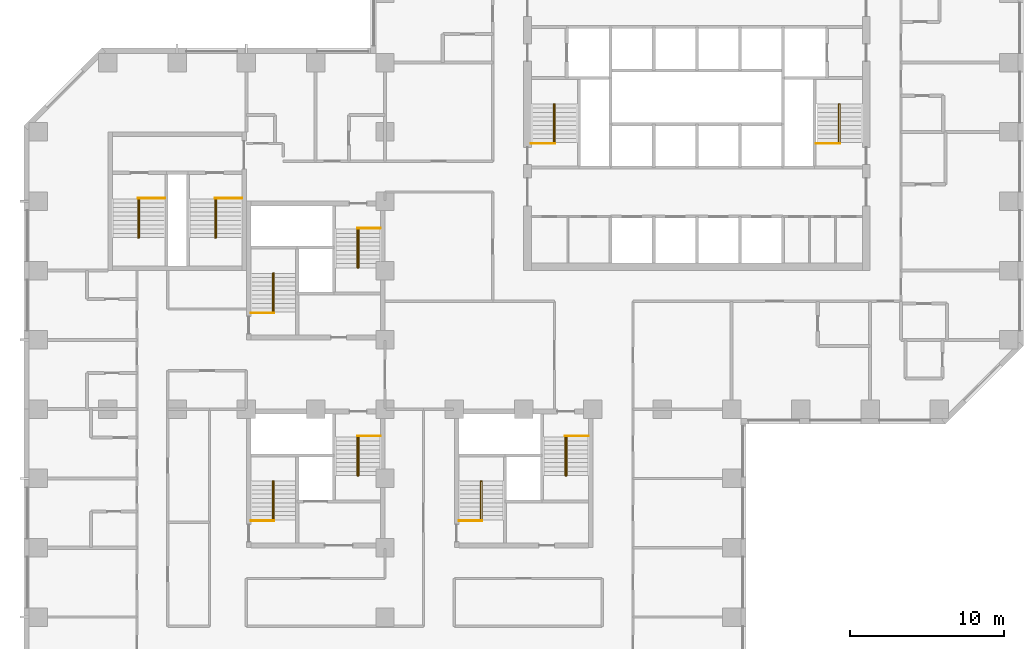
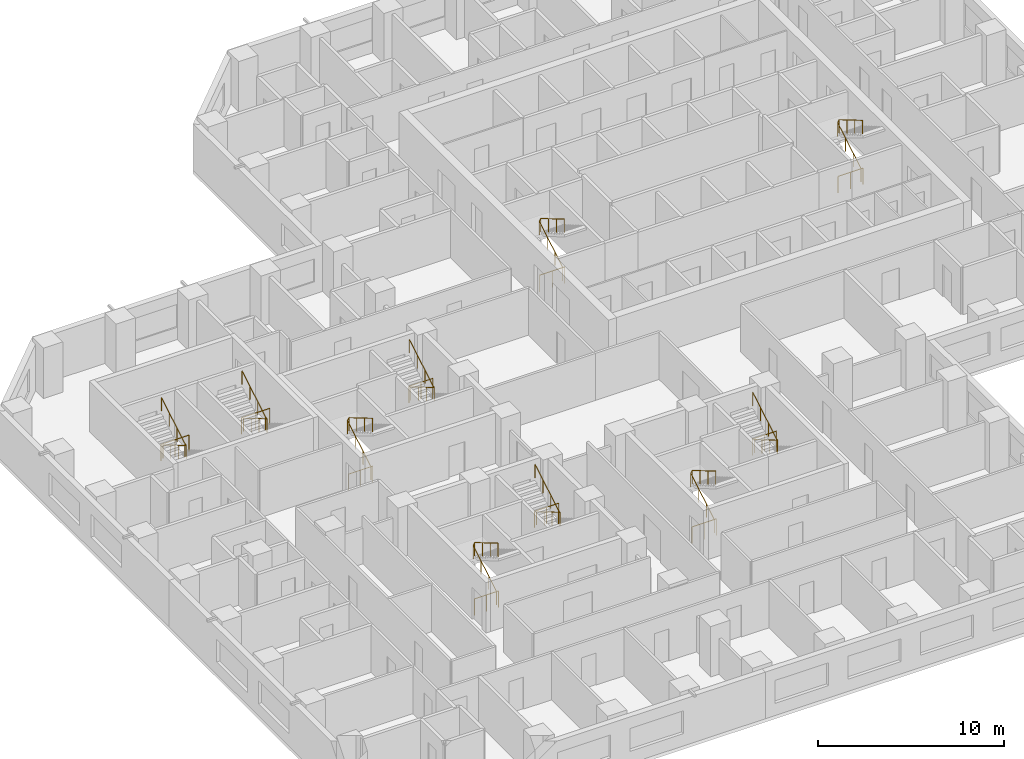
# One storey, part 13 of 13: 20 railings.
"""IFC4 building model written with IfcOpenShell, lengths in metres."""

import ifcopenshell
import ifcopenshell.guid

model = None  # the IFC model being written
_history = None  # IfcOwnerHistory: only IFC2X3 demands one
_inside = {}  # id of a spatial element -> (the spatial element, [elements in it])
_under = {}  # id of a project, library or spatial element -> (it, [spatial elements below it])
_declared = {}  # id of a project -> (the project, [libraries it declares])
_typed = {}  # id of a type object -> (the type object, [elements of that type])
_made_of = {}  # id of a material, layer set ... -> (it, [elements and type objects made of it])


def new_model(schema):
    """Start an empty IFC model of exactly this schema.

    Asked for "IFC4X3", IfcOpenShell would pick the latest addendum, in which some entities
    have other attributes; the version numbers below select the first issue.
    IFC2X3 requires an IfcOwnerHistory on every rooted entity: one is made here for all.
    """
    global model, _history
    if schema == "IFC4X3":
        model = ifcopenshell.file(schema_version=(4, 3, 0, 0))
    else:
        model = ifcopenshell.file(schema=schema)
    _inside.clear()
    _under.clear()
    _declared.clear()
    _typed.clear()
    _made_of.clear()
    _history = None
    if model.schema == "IFC2X3":
        org = make("IfcOrganization", Name="unknown")
        user = make(
            "IfcPersonAndOrganization",
            ThePerson=make("IfcPerson", FamilyName="unknown"),
            TheOrganization=org,
        )
        app = make(
            "IfcApplication",
            ApplicationDeveloper=org,
            Version="unknown",
            ApplicationFullName="unknown",
            ApplicationIdentifier="unknown",
        )
        _history = make(
            "IfcOwnerHistory",
            OwningUser=user,
            OwningApplication=app,
            ChangeAction="ADDED",
            CreationDate=0,
        )
    return model


def make(cls, **values):
    """One entity of the class cls with the attributes given. An attribute that is None is left unset."""
    return model.create_entity(
        cls, **{name: value for name, value in values.items() if value is not None}
    )


def rooted(cls, **values):
    """An entity with a GlobalId (a new one), such as an element, a storey or a relation."""
    return make(cls, GlobalId=ifcopenshell.guid.new(), OwnerHistory=_history, **values)


def si_unit(unit_type, name, prefix=None):
    """IfcSIUnit, for example si_unit("LENGTHUNIT", "METRE", prefix="MILLI")."""
    return make("IfcSIUnit", UnitType=unit_type, Prefix=prefix, Name=name)


def assignment(units):
    """IfcUnitAssignment: the units of a project."""
    return None if units is None else make("IfcUnitAssignment", Units=units)


def point(xyz):
    """IfcCartesianPoint."""
    return None if xyz is None else make("IfcCartesianPoint", Coordinates=xyz)


def direction(xyz):
    """IfcDirection."""
    return None if xyz is None else make("IfcDirection", DirectionRatios=xyz)


def frame(location, z_axis=None, x_axis=None):
    """IfcAxis2Placement3D, a coordinate frame: its origin and axes. An axis left out is left unset."""
    return make(
        "IfcAxis2Placement3D",
        Location=point(location),
        Axis=direction(z_axis),
        RefDirection=direction(x_axis),
    )


def frame_2d(location, x_axis=None):
    """IfcAxis2Placement2D, a coordinate frame in the plane: its origin and x axis."""
    return make(
        "IfcAxis2Placement2D", Location=point(location), RefDirection=direction(x_axis)
    )


def origin():
    """The frame at (0, 0, 0) with its axes left unset."""
    return frame((0.0, 0.0, 0.0))


def origin_2d():
    """The frame at (0, 0) in the plane with its x axis left unset."""
    return frame_2d((0.0, 0.0))


def place(relative_to, where):
    """IfcLocalPlacement: puts the frame where relative to a parent placement (None: the world)."""
    return make(
        "IfcLocalPlacement", PlacementRelTo=relative_to, RelativePlacement=where
    )


def context(
    kind, dimensions, precision=None, world=None, true_north=None, identifier=None
):
    """IfcGeometricRepresentationContext, for example the 3D "Model" context."""
    return make(
        "IfcGeometricRepresentationContext",
        ContextIdentifier=identifier,
        ContextType=kind,
        CoordinateSpaceDimension=dimensions,
        Precision=precision,
        WorldCoordinateSystem=world,
        TrueNorth=true_north,
    )


def subcontext(parent, identifier, kind, view, scale=None):
    """IfcGeometricRepresentationSubContext, for example "Body" below "Model"."""
    return make(
        "IfcGeometricRepresentationSubContext",
        ContextIdentifier=identifier,
        ContextType=kind,
        ParentContext=parent,
        TargetScale=scale,
        TargetView=view,
    )


def project(units=None, contexts=None):
    """IfcProject with its units and contexts."""
    return rooted(
        "IfcProject",
        Name="project",
        RepresentationContexts=contexts,
        UnitsInContext=assignment(units),
    )


def spatial(cls, under=None, at=None, **own):
    """A site, building, storey or space (cls), placed at a placement, below another one or the project."""
    s = rooted(cls, ObjectPlacement=at, **own)
    if under is not None:
        _under.setdefault(under.id(), (under, []))[1].append(s)
    return s


def profile(cls, at=None, kind="AREA", **sizes):
    """A parametric profile (cls). Its sizes go by their IFC names, for example OverallWidth=200.0."""
    return make(cls, ProfileType=kind, Position=at, **sizes)


def circle(**sizes):
    """IfcCircleProfileDef."""
    return profile("IfcCircleProfileDef", **sizes)


def extrude(swept, where, along, depth):
    """IfcExtrudedAreaSolid: the profile swept, set in the frame where, extruded along a direction by depth."""
    return make(
        "IfcExtrudedAreaSolid",
        SweptArea=swept,
        Position=where,
        ExtrudedDirection=direction(along),
        Depth=depth,
    )


def shape(context_of_items, identifier, shape_type, items):
    """IfcShapeRepresentation: the items that make up one representation, for example the "Body"."""
    return make(
        "IfcShapeRepresentation",
        ContextOfItems=context_of_items,
        RepresentationIdentifier=identifier,
        RepresentationType=shape_type,
        Items=items,
    )


def material(Name=None, Category=None):
    """IfcMaterial."""
    return make("IfcMaterial", Name=Name, Category=Category)


def made_of(thing, what):
    """Note that an element or type object is made of a material, layer set ...; save() writes the relation."""
    if what is not None:
        _made_of.setdefault(what.id(), (what, []))[1].append(thing)
    return thing


def type_object(cls, material=None, **own):
    """A type object (cls), such as IfcWallType, which elements share."""
    return made_of(rooted(cls, **own), material)


def element(
    cls,
    number,
    at=None,
    inside=None,
    cuts=None,
    type_object=None,
    material=None,
    context=None,
    identifier="Body",
    shape_type=None,
    held_by="IfcProductDefinitionShape",
    body=None,
    shapes=None,
    **own,
):
    """One element of the class cls, such as IfcWall. Its Tag is "e" and its number.

    at: its placement. inside: the storey or other place that contains it. cuts: it is an
    opening in that element (IfcRelVoidsElement). A single representation is given by context,
    identifier, shape_type and body (its items); several are given by shapes. held_by: the class
    of the entity that holds the representations. save() writes the other relations.
    """
    e = rooted(cls, Tag="e%d" % number, ObjectPlacement=at, **own)
    if body is not None:
        shapes = [shape(context, identifier, shape_type, body)]
    if shapes is not None:
        e.Representation = make(held_by, Representations=shapes)
    if inside is not None:
        _inside.setdefault(inside.id(), (inside, []))[1].append(e)
    if cuts is not None:
        rooted(
            "IfcRelVoidsElement", RelatingBuildingElement=cuts, RelatedOpeningElement=e
        )
    if type_object is not None:
        _typed.setdefault(type_object.id(), (type_object, []))[1].append(e)
    return made_of(e, material)


def aggregate(whole, parts):
    """IfcRelAggregates: a whole, such as a stair, and the parts it consists of."""
    return rooted("IfcRelAggregates", RelatingObject=whole, RelatedObjects=parts)


def save(model, path):
    """Write the relations noted so far, then the file.

    IfcRelAggregates (storeys below a building ...), IfcRelContainedInSpatialStructure (elements
    in a storey), IfcRelDefinesByType, IfcRelAssociatesMaterial and IfcRelDeclares: one each for
    every whole, place, type object, material and project.
    """
    for whole, parts in _under.values():
        aggregate(whole, parts)
    for where, things in _inside.values():
        rooted(
            "IfcRelContainedInSpatialStructure",
            RelatedElements=things,
            RelatingStructure=where,
        )
    for kind, things in _typed.values():
        rooted("IfcRelDefinesByType", RelatedObjects=things, RelatingType=kind)
    for what, things in _made_of.values():
        rooted("IfcRelAssociatesMaterial", RelatedObjects=things, RelatingMaterial=what)
    for by, libraries in _declared.values():
        rooted("IfcRelDeclares", RelatingContext=by, RelatedDefinitions=libraries)
    model.write(path)


model = new_model("IFC4")

# Units and contexts
model_context = context("Model", 3, precision=1e-05, world=origin(), true_north=direction((0.0, 1.0)))
body_context = subcontext(model_context, "Body", "Model", "MODEL_VIEW")
ifc_project = project(units=[si_unit("LENGTHUNIT", "METRE"), si_unit("AREAUNIT", "SQUARE_METRE"), si_unit("VOLUMEUNIT", "CUBIC_METRE"), si_unit("PLANEANGLEUNIT", "RADIAN"), si_unit("MASSUNIT", "GRAM", prefix="KILO")], contexts=[model_context])

# Site, building, storey
site_placement = place(None, origin())
site = spatial("IfcSite", under=ifc_project, at=site_placement, CompositionType="ELEMENT")
building_placement = place(site_placement, origin())
building = spatial("IfcBuilding", under=site, at=building_placement, Name="Quoin Convention Tower", CompositionType="ELEMENT")
storey_placement = place(building_placement, frame((0.0, 0.0, 23.10009765625)))
storey = spatial("IfcBuildingStorey", under=building, at=storey_placement, Name="L04", CompositionType="ELEMENT", Elevation=23.10009765625)

# Railings
ifc_material = material(Name="Stainless steel", Category="steel")
railing_type_1 = type_object("IfcRailingType", Name="Stair handrail 900", PredefinedType="HANDRAIL", material=ifc_material)
for number, where, name in (
    (1, (46.955078125, 57.800048828125, 0.164794921875), "SD1 handrail 1"),
    (2, (65.455078125, 57.800048828125, 0.164794921875), "SD2 handrail 1"),
    (3, (28.705078125, 46.800048828125, 0.164794921875), "SD3 handrail 1"),
):
    element("IfcRailing", number, at=place(storey_placement, frame(where)), inside=storey, type_object=railing_type_1, Name=name, PredefinedType="HANDRAIL", context=body_context, shape_type="SweptSolid", body=[
        extrude(circle(Radius=0.02392578125, at=origin_2d()), frame((0.0, 0.0, 0.8759765625), z_axis=(0.0, 0.86152411907, 0.507716645641), x_axis=(-1.0, 0.0, 0.0)), (0.0, 0.0, 1.0), 2.925048828125),
        extrude(circle(Radius=0.02392578125, at=origin_2d()), frame((0.0, 2.52001953125, 2.36083984375), z_axis=(0.478123724308, 0.0, 0.878292493566), x_axis=(0.0, 1.0, 0.0)), (0.0, 0.0, 1.0), 0.18798828125),
        extrude(circle(Radius=0.02392578125, at=origin_2d()), frame((0.08984375, 2.52001953125, 2.52587890625), z_axis=(0.0, -0.861560626758, 0.507654692109), x_axis=(1.0, 0.0, 0.0)), (0.0, 0.0, 1.0), 2.925048828125),
        extrude(circle(Radius=0.02099609375, at=origin_2d()), origin(), (0.0, 0.0, 1.0), 0.851806640625),
        extrude(circle(Radius=0.02099609375, at=origin_2d()), frame((0.0, 0.840087890625, 0.4951171875)), (0.0, 0.0, 1.0), 0.851806640625),
        extrude(circle(Radius=0.02099609375, at=origin_2d()), frame((0.0, 1.679931640625, 0.989990234375)), (0.0, 0.0, 1.0), 0.851806640625),
        extrude(circle(Radius=0.02099609375, at=origin_2d()), frame((0.0, 2.52001953125, 1.485107421875)), (0.0, 0.0, 1.0), 0.851806640625),
        extrude(circle(Radius=0.02099609375, at=origin_2d()), frame((0.08984375, 2.52001953125, 1.650146484375)), (0.0, 0.0, 1.0), 0.851806640625),
        extrude(circle(Radius=0.02099609375, at=origin_2d()), frame((0.08984375, 1.679931640625, 2.14501953125)), (0.0, 0.0, 1.0), 0.851806640625),
        extrude(circle(Radius=0.02099609375, at=origin_2d()), frame((0.08984375, 0.840087890625, 2.64013671875)), (0.0, 0.0, 1.0), 0.851806640625),
        extrude(circle(Radius=0.02099609375, at=origin_2d()), frame((0.08984375, 0.0, 3.135009765625)), (0.0, 0.0, 1.0), 0.851806640625),
    ])
railing_1_placement = place(storey_placement, frame((34.294921875, 52.199951171875, 0.164794921875)))
element("IfcRailing", 4, at=railing_1_placement, inside=storey, type_object=railing_type_1, Name="SD4 handrail 1", PredefinedType="HANDRAIL", context=body_context, shape_type="SweptSolid", body=[
    extrude(circle(Radius=0.02392578125, at=origin_2d()), frame((0.0, 0.0, 0.8759765625), z_axis=(0.0, -0.86152411907, 0.507716645641), x_axis=(1.0, 0.0, 0.0)), (0.0, 0.0, 1.0), 2.925048828125),
    extrude(circle(Radius=0.02392578125, at=origin_2d()), frame((0.0, -2.52001953125, 2.36083984375), z_axis=(-0.478123724308, 0.0, 0.878292493566), x_axis=(0.0, -1.0, 0.0)), (0.0, 0.0, 1.0), 0.18798828125),
    extrude(circle(Radius=0.02392578125, at=origin_2d()), frame((-0.08984375, -2.52001953125, 2.52587890625), z_axis=(0.0, 0.861560626758, 0.507654692109), x_axis=(-1.0, 0.0, 0.0)), (0.0, 0.0, 1.0), 2.925048828125),
    extrude(circle(Radius=0.02099609375, at=origin_2d()), origin(), (0.0, 0.0, 1.0), 0.851806640625),
    extrude(circle(Radius=0.02099609375, at=origin_2d()), frame((0.0, -0.840087890625, 0.4951171875)), (0.0, 0.0, 1.0), 0.851806640625),
    extrude(circle(Radius=0.02099609375, at=origin_2d()), frame((0.0, -1.679931640625, 0.989990234375)), (0.0, 0.0, 1.0), 0.851806640625),
    extrude(circle(Radius=0.02099609375, at=origin_2d()), frame((0.0, -2.52001953125, 1.485107421875)), (0.0, 0.0, 1.0), 0.851806640625),
    extrude(circle(Radius=0.02099609375, at=origin_2d()), frame((-0.08984375, -2.52001953125, 1.650146484375)), (0.0, 0.0, 1.0), 0.851806640625),
    extrude(circle(Radius=0.02099609375, at=origin_2d()), frame((-0.08984375, -1.679931640625, 2.14501953125)), (0.0, 0.0, 1.0), 0.851806640625),
    extrude(circle(Radius=0.02099609375, at=origin_2d()), frame((-0.08984375, -0.840087890625, 2.64013671875)), (0.0, 0.0, 1.0), 0.851806640625),
    extrude(circle(Radius=0.02099609375, at=origin_2d()), frame((-0.08984375, 0.0, 3.135009765625)), (0.0, 0.0, 1.0), 0.851806640625),
])
railing_2_placement = place(storey_placement, frame((42.205078125, 33.300048828125, 0.164794921875)))
element("IfcRailing", 5, at=railing_2_placement, inside=storey, type_object=railing_type_1, Name="SD5 handrail 1", PredefinedType="HANDRAIL", context=body_context, shape_type="SweptSolid", body=[
    extrude(circle(Radius=0.02392578125, at=origin_2d()), frame((0.0, 0.0, 0.8759765625), z_axis=(0.0, 0.86152411907, 0.507716645641), x_axis=(-1.0, 0.0, 0.0)), (0.0, 0.0, 1.0), 2.925048828125),
    extrude(circle(Radius=0.02392578125, at=origin_2d()), frame((0.0, 2.52001953125, 2.36083984375), z_axis=(0.478123724308, 0.0, 0.878292493566), x_axis=(0.0, 1.0, 0.0)), (0.0, 0.0, 1.0), 0.18798828125),
    extrude(circle(Radius=0.02392578125, at=origin_2d()), frame((0.08984375, 2.52001953125, 2.52587890625), z_axis=(0.0, -0.861560626758, 0.507654692109), x_axis=(1.0, 0.0, 0.0)), (0.0, 0.0, 1.0), 2.925048828125),
    extrude(circle(Radius=0.02099609375, at=origin_2d()), origin(), (0.0, 0.0, 1.0), 0.851806640625),
    extrude(circle(Radius=0.02099609375, at=origin_2d()), frame((0.0, 0.840087890625, 0.4951171875)), (0.0, 0.0, 1.0), 0.851806640625),
    extrude(circle(Radius=0.02099609375, at=origin_2d()), frame((0.0, 1.679931640625, 0.989990234375)), (0.0, 0.0, 1.0), 0.851806640625),
    extrude(circle(Radius=0.02099609375, at=origin_2d()), frame((0.0, 2.52001953125, 1.485107421875)), (0.0, 0.0, 1.0), 0.851806640625),
    extrude(circle(Radius=0.02099609375, at=origin_2d()), frame((0.08984375, 2.52001953125, 1.650146484375)), (0.0, 0.0, 1.0), 0.851806640625),
    extrude(circle(Radius=0.02099609375, at=origin_2d()), frame((0.08984375, 1.679931640625, 2.14501953125)), (0.0, 0.0, 1.0), 0.851806640625),
    extrude(circle(Radius=0.02099609375, at=origin_2d()), frame((0.08984375, 0.840087890625, 2.64013671875)), (0.0, 0.0, 1.0), 0.851806640625),
    extrude(circle(Radius=0.02099609375, at=origin_2d()), frame((0.08984375, 0.0, 3.135009765625)), (0.0, 0.0, 1.0), 0.851806640625),
])
railing_3_placement = place(storey_placement, frame((47.794921875, 38.699951171875, 0.164794921875)))
element("IfcRailing", 6, at=railing_3_placement, inside=storey, type_object=railing_type_1, Name="SD6 handrail 1", PredefinedType="HANDRAIL", context=body_context, shape_type="SweptSolid", body=[
    extrude(circle(Radius=0.02392578125, at=origin_2d()), frame((0.0, 0.0, 0.8759765625), z_axis=(0.0, -0.86152411907, 0.507716645641), x_axis=(1.0, 0.0, 0.0)), (0.0, 0.0, 1.0), 2.925048828125),
    extrude(circle(Radius=0.02392578125, at=origin_2d()), frame((0.0, -2.52001953125, 2.36083984375), z_axis=(-0.478123724308, 0.0, 0.878292493566), x_axis=(0.0, -1.0, 0.0)), (0.0, 0.0, 1.0), 0.18798828125),
    extrude(circle(Radius=0.02392578125, at=origin_2d()), frame((-0.08984375, -2.52001953125, 2.52587890625), z_axis=(0.0, 0.861560626758, 0.507654692109), x_axis=(-1.0, 0.0, 0.0)), (0.0, 0.0, 1.0), 2.925048828125),
    extrude(circle(Radius=0.02099609375, at=origin_2d()), origin(), (0.0, 0.0, 1.0), 0.851806640625),
    extrude(circle(Radius=0.02099609375, at=origin_2d()), frame((0.0, -0.840087890625, 0.4951171875)), (0.0, 0.0, 1.0), 0.851806640625),
    extrude(circle(Radius=0.02099609375, at=origin_2d()), frame((0.0, -1.679931640625, 0.989990234375)), (0.0, 0.0, 1.0), 0.851806640625),
    extrude(circle(Radius=0.02099609375, at=origin_2d()), frame((0.0, -2.52001953125, 1.485107421875)), (0.0, 0.0, 1.0), 0.851806640625),
    extrude(circle(Radius=0.02099609375, at=origin_2d()), frame((-0.08984375, -2.52001953125, 1.650146484375)), (0.0, 0.0, 1.0), 0.851806640625),
    extrude(circle(Radius=0.02099609375, at=origin_2d()), frame((-0.08984375, -1.679931640625, 2.14501953125)), (0.0, 0.0, 1.0), 0.851806640625),
    extrude(circle(Radius=0.02099609375, at=origin_2d()), frame((-0.08984375, -0.840087890625, 2.64013671875)), (0.0, 0.0, 1.0), 0.851806640625),
    extrude(circle(Radius=0.02099609375, at=origin_2d()), frame((-0.08984375, 0.0, 3.135009765625)), (0.0, 0.0, 1.0), 0.851806640625),
])
railing_4_placement = place(storey_placement, frame((28.705078125, 33.300048828125, 0.164794921875)))
element("IfcRailing", 7, at=railing_4_placement, inside=storey, type_object=railing_type_1, Name="SD7 handrail 1", PredefinedType="HANDRAIL", context=body_context, shape_type="SweptSolid", body=[
    extrude(circle(Radius=0.02392578125, at=origin_2d()), frame((0.0, 0.0, 0.8759765625), z_axis=(0.0, 0.86152411907, 0.507716645641), x_axis=(-1.0, 0.0, 0.0)), (0.0, 0.0, 1.0), 2.925048828125),
    extrude(circle(Radius=0.02392578125, at=origin_2d()), frame((0.0, 2.52001953125, 2.36083984375), z_axis=(0.478123724308, 0.0, 0.878292493566), x_axis=(0.0, 1.0, 0.0)), (0.0, 0.0, 1.0), 0.18798828125),
    extrude(circle(Radius=0.02392578125, at=origin_2d()), frame((0.08984375, 2.52001953125, 2.52587890625), z_axis=(0.0, -0.861560626758, 0.507654692109), x_axis=(1.0, 0.0, 0.0)), (0.0, 0.0, 1.0), 2.925048828125),
    extrude(circle(Radius=0.02099609375, at=origin_2d()), origin(), (0.0, 0.0, 1.0), 0.851806640625),
    extrude(circle(Radius=0.02099609375, at=origin_2d()), frame((0.0, 0.840087890625, 0.4951171875)), (0.0, 0.0, 1.0), 0.851806640625),
    extrude(circle(Radius=0.02099609375, at=origin_2d()), frame((0.0, 1.679931640625, 0.989990234375)), (0.0, 0.0, 1.0), 0.851806640625),
    extrude(circle(Radius=0.02099609375, at=origin_2d()), frame((0.0, 2.52001953125, 1.485107421875)), (0.0, 0.0, 1.0), 0.851806640625),
    extrude(circle(Radius=0.02099609375, at=origin_2d()), frame((0.08984375, 2.52001953125, 1.650146484375)), (0.0, 0.0, 1.0), 0.851806640625),
    extrude(circle(Radius=0.02099609375, at=origin_2d()), frame((0.08984375, 1.679931640625, 2.14501953125)), (0.0, 0.0, 1.0), 0.851806640625),
    extrude(circle(Radius=0.02099609375, at=origin_2d()), frame((0.08984375, 0.840087890625, 2.64013671875)), (0.0, 0.0, 1.0), 0.851806640625),
    extrude(circle(Radius=0.02099609375, at=origin_2d()), frame((0.08984375, 0.0, 3.135009765625)), (0.0, 0.0, 1.0), 0.851806640625),
])
for number, where, name in (
    (8, (34.294921875, 38.699951171875, 0.164794921875), "SD8 handrail 1"),
    (9, (20.044921875, 54.14990234375, 0.164794921875), "SD11 handrail 1"),
    (10, (25.044921875, 54.14990234375, 0.164794921875), "SD12 handrail 1"),
):
    element("IfcRailing", number, at=place(storey_placement, frame(where)), inside=storey, type_object=railing_type_1, Name=name, PredefinedType="HANDRAIL", context=body_context, shape_type="SweptSolid", body=[
        extrude(circle(Radius=0.02392578125, at=origin_2d()), frame((0.0, 0.0, 0.8759765625), z_axis=(0.0, -0.86152411907, 0.507716645641), x_axis=(1.0, 0.0, 0.0)), (0.0, 0.0, 1.0), 2.925048828125),
        extrude(circle(Radius=0.02392578125, at=origin_2d()), frame((0.0, -2.52001953125, 2.36083984375), z_axis=(-0.478123724308, 0.0, 0.878292493566), x_axis=(0.0, -1.0, 0.0)), (0.0, 0.0, 1.0), 0.18798828125),
        extrude(circle(Radius=0.02392578125, at=origin_2d()), frame((-0.08984375, -2.52001953125, 2.52587890625), z_axis=(0.0, 0.861560626758, 0.507654692109), x_axis=(-1.0, 0.0, 0.0)), (0.0, 0.0, 1.0), 2.925048828125),
        extrude(circle(Radius=0.02099609375, at=origin_2d()), origin(), (0.0, 0.0, 1.0), 0.851806640625),
        extrude(circle(Radius=0.02099609375, at=origin_2d()), frame((0.0, -0.840087890625, 0.4951171875)), (0.0, 0.0, 1.0), 0.851806640625),
        extrude(circle(Radius=0.02099609375, at=origin_2d()), frame((0.0, -1.679931640625, 0.989990234375)), (0.0, 0.0, 1.0), 0.851806640625),
        extrude(circle(Radius=0.02099609375, at=origin_2d()), frame((0.0, -2.52001953125, 1.485107421875)), (0.0, 0.0, 1.0), 0.851806640625),
        extrude(circle(Radius=0.02099609375, at=origin_2d()), frame((-0.08984375, -2.52001953125, 1.650146484375)), (0.0, 0.0, 1.0), 0.851806640625),
        extrude(circle(Radius=0.02099609375, at=origin_2d()), frame((-0.08984375, -1.679931640625, 2.14501953125)), (0.0, 0.0, 1.0), 0.851806640625),
        extrude(circle(Radius=0.02099609375, at=origin_2d()), frame((-0.08984375, -0.840087890625, 2.64013671875)), (0.0, 0.0, 1.0), 0.851806640625),
        extrude(circle(Radius=0.02099609375, at=origin_2d()), frame((-0.08984375, 0.0, 3.135009765625)), (0.0, 0.0, 1.0), 0.851806640625),
    ])
railing_type_2 = type_object("IfcRailingType", Name="Stair top guard 1100", PredefinedType="GUARDRAIL", material=ifc_material)
for number, where, name in (
    (11, (45.5, 57.75, 0.0), "SD1 top guard"),
    (12, (64.0, 57.75, 0.0), "SD2 top guard"),
):
    element("IfcRailing", number, at=place(storey_placement, frame(where)), inside=storey, type_object=railing_type_2, Name=name, PredefinedType="GUARDRAIL", context=body_context, shape_type="SweptSolid", body=[
        extrude(circle(Radius=0.02392578125, at=origin_2d()), frame((0.0, 0.0, 1.076171875), z_axis=(1.0, 0.0, 0.0), x_axis=(0.0, 1.0, 0.0)), (0.0, 0.0, 1.0), 1.544921875),
        extrude(circle(Radius=0.02099609375, at=origin_2d()), origin(), (0.0, 0.0, 1.0), 1.052001953125),
        extrude(circle(Radius=0.02099609375, at=origin_2d()), frame((0.7724609375, 0.0, 0.0)), (0.0, 0.0, 1.0), 1.052001953125),
        extrude(circle(Radius=0.02099609375, at=origin_2d()), frame((1.544921875, 0.0, 0.0)), (0.0, 0.0, 1.0), 1.052001953125),
    ])
railing_5_placement = place(storey_placement, frame((27.300048828125, 46.75, 0.0)))
element("IfcRailing", 13, at=railing_5_placement, inside=storey, type_object=railing_type_2, Name="SD3 top guard", PredefinedType="GUARDRAIL", context=body_context, shape_type="SweptSolid", body=[
    extrude(circle(Radius=0.02392578125, at=origin_2d()), frame((0.0, 0.0, 1.076171875), z_axis=(1.0, 0.0, 0.0), x_axis=(0.0, 1.0, 0.0)), (0.0, 0.0, 1.0), 1.494873046875),
    extrude(circle(Radius=0.02099609375, at=origin_2d()), origin(), (0.0, 0.0, 1.0), 1.052001953125),
    extrude(circle(Radius=0.02099609375, at=origin_2d()), frame((0.74755859375, 0.0, 0.0)), (0.0, 0.0, 1.0), 1.052001953125),
    extrude(circle(Radius=0.02099609375, at=origin_2d()), frame((1.494873046875, 0.0, 0.0)), (0.0, 0.0, 1.0), 1.052001953125),
])
railing_6_placement = place(storey_placement, frame((35.699951171875, 52.25, 0.0)))
element("IfcRailing", 14, at=railing_6_placement, inside=storey, type_object=railing_type_2, Name="SD4 top guard", PredefinedType="GUARDRAIL", context=body_context, shape_type="SweptSolid", body=[
    extrude(circle(Radius=0.02392578125, at=origin_2d()), frame((0.0, 0.0, 1.076171875), z_axis=(-1.0, 0.0, 0.0), x_axis=(0.0, -1.0, 0.0)), (0.0, 0.0, 1.0), 1.494873046875),
    extrude(circle(Radius=0.02099609375, at=origin_2d()), origin(), (0.0, 0.0, 1.0), 1.052001953125),
    extrude(circle(Radius=0.02099609375, at=origin_2d()), frame((-0.74755859375, 0.0, 0.0)), (0.0, 0.0, 1.0), 1.052001953125),
    extrude(circle(Radius=0.02099609375, at=origin_2d()), frame((-1.494873046875, 0.0, 0.0)), (0.0, 0.0, 1.0), 1.052001953125),
])
railing_7_placement = place(storey_placement, frame((40.800048828125, 33.25, 0.0)))
element("IfcRailing", 15, at=railing_7_placement, inside=storey, type_object=railing_type_2, Name="SD5 top guard", PredefinedType="GUARDRAIL", context=body_context, shape_type="SweptSolid", body=[
    extrude(circle(Radius=0.02392578125, at=origin_2d()), frame((0.0, 0.0, 1.076171875), z_axis=(1.0, 0.0, 0.0), x_axis=(0.0, 1.0, 0.0)), (0.0, 0.0, 1.0), 1.494873046875),
    extrude(circle(Radius=0.02099609375, at=origin_2d()), origin(), (0.0, 0.0, 1.0), 1.052001953125),
    extrude(circle(Radius=0.02099609375, at=origin_2d()), frame((0.74755859375, 0.0, 0.0)), (0.0, 0.0, 1.0), 1.052001953125),
    extrude(circle(Radius=0.02099609375, at=origin_2d()), frame((1.494873046875, 0.0, 0.0)), (0.0, 0.0, 1.0), 1.052001953125),
])
railing_8_placement = place(storey_placement, frame((49.199951171875, 38.75, 0.0)))
element("IfcRailing", 16, at=railing_8_placement, inside=storey, type_object=railing_type_2, Name="SD6 top guard", PredefinedType="GUARDRAIL", context=body_context, shape_type="SweptSolid", body=[
    extrude(circle(Radius=0.02392578125, at=origin_2d()), frame((0.0, 0.0, 1.076171875), z_axis=(-1.0, 0.0, 0.0), x_axis=(0.0, -1.0, 0.0)), (0.0, 0.0, 1.0), 1.494873046875),
    extrude(circle(Radius=0.02099609375, at=origin_2d()), origin(), (0.0, 0.0, 1.0), 1.052001953125),
    extrude(circle(Radius=0.02099609375, at=origin_2d()), frame((-0.74755859375, 0.0, 0.0)), (0.0, 0.0, 1.0), 1.052001953125),
    extrude(circle(Radius=0.02099609375, at=origin_2d()), frame((-1.494873046875, 0.0, 0.0)), (0.0, 0.0, 1.0), 1.052001953125),
])
railing_9_placement = place(storey_placement, frame((27.300048828125, 33.25, 0.0)))
element("IfcRailing", 17, at=railing_9_placement, inside=storey, type_object=railing_type_2, Name="SD7 top guard", PredefinedType="GUARDRAIL", context=body_context, shape_type="SweptSolid", body=[
    extrude(circle(Radius=0.02392578125, at=origin_2d()), frame((0.0, 0.0, 1.076171875), z_axis=(1.0, 0.0, 0.0), x_axis=(0.0, 1.0, 0.0)), (0.0, 0.0, 1.0), 1.494873046875),
    extrude(circle(Radius=0.02099609375, at=origin_2d()), origin(), (0.0, 0.0, 1.0), 1.052001953125),
    extrude(circle(Radius=0.02099609375, at=origin_2d()), frame((0.74755859375, 0.0, 0.0)), (0.0, 0.0, 1.0), 1.052001953125),
    extrude(circle(Radius=0.02099609375, at=origin_2d()), frame((1.494873046875, 0.0, 0.0)), (0.0, 0.0, 1.0), 1.052001953125),
])
railing_10_placement = place(storey_placement, frame((35.699951171875, 38.75, 0.0)))
element("IfcRailing", 18, at=railing_10_placement, inside=storey, type_object=railing_type_2, Name="SD8 top guard", PredefinedType="GUARDRAIL", context=body_context, shape_type="SweptSolid", body=[
    extrude(circle(Radius=0.02392578125, at=origin_2d()), frame((0.0, 0.0, 1.076171875), z_axis=(-1.0, 0.0, 0.0), x_axis=(0.0, -1.0, 0.0)), (0.0, 0.0, 1.0), 1.494873046875),
    extrude(circle(Radius=0.02099609375, at=origin_2d()), origin(), (0.0, 0.0, 1.0), 1.052001953125),
    extrude(circle(Radius=0.02099609375, at=origin_2d()), frame((-0.74755859375, 0.0, 0.0)), (0.0, 0.0, 1.0), 1.052001953125),
    extrude(circle(Radius=0.02099609375, at=origin_2d()), frame((-1.494873046875, 0.0, 0.0)), (0.0, 0.0, 1.0), 1.052001953125),
])
for number, where, name in (
    (19, (21.699951171875, 54.199951171875, 0.0), "SD11 top guard"),
    (20, (26.699951171875, 54.199951171875, 0.0), "SD12 top guard"),
):
    element("IfcRailing", number, at=place(storey_placement, frame(where)), inside=storey, type_object=railing_type_2, Name=name, PredefinedType="GUARDRAIL", context=body_context, shape_type="SweptSolid", body=[
        extrude(circle(Radius=0.02392578125, at=origin_2d()), frame((0.0, 0.0, 1.076171875), z_axis=(-1.0, 0.0, 0.0), x_axis=(0.0, -1.0, 0.0)), (0.0, 0.0, 1.0), 1.744873046875),
        extrude(circle(Radius=0.02099609375, at=origin_2d()), origin(), (0.0, 0.0, 1.0), 1.052001953125),
        extrude(circle(Radius=0.02099609375, at=origin_2d()), frame((-0.87255859375, 0.0, 0.0)), (0.0, 0.0, 1.0), 1.052001953125),
        extrude(circle(Radius=0.02099609375, at=origin_2d()), frame((-1.744873046875, 0.0, 0.0)), (0.0, 0.0, 1.0), 1.052001953125),
    ])

save(model, "model.ifc")
